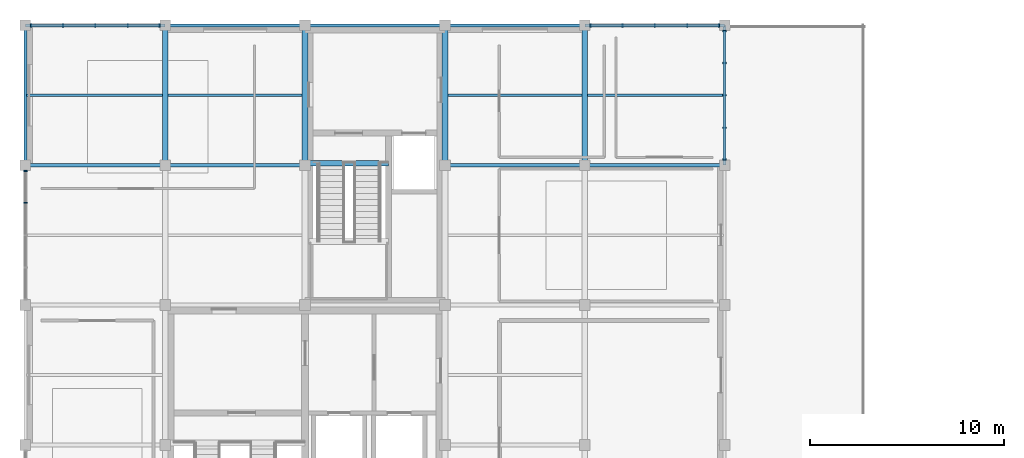
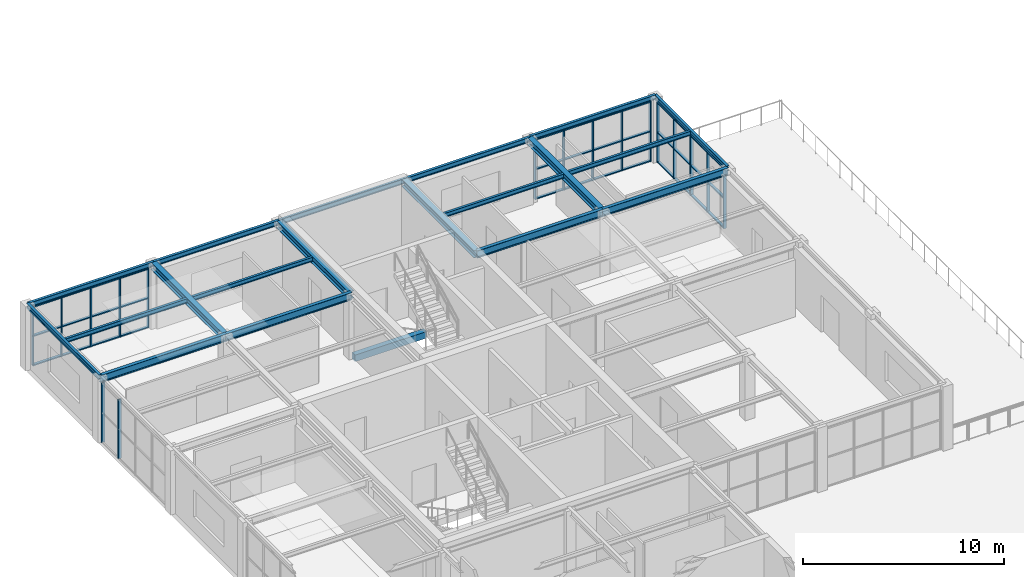
# One storey, part 10 of 30: 26 members, 20 beams, 4 elements without a shape of their own.
"""IFC4 building model written with IfcOpenShell, lengths in metres."""

from ifc_helpers import new_model, si_unit, direction, frame, origin, origin_2d, place, context, subcontext, project, spatial, rectangle, i_section, extrude, material, material_profile, profile_set, type_object, element, aggregate, save


model = new_model("IFC4")

# Units and contexts
model_context = context("Model", 3, precision=1e-05, world=origin(), true_north=direction((0.0, 1.0)))
body_context = subcontext(model_context, "Body", "Model", "MODEL_VIEW")
ifc_project = project(units=[si_unit("LENGTHUNIT", "METRE"), si_unit("AREAUNIT", "SQUARE_METRE"), si_unit("VOLUMEUNIT", "CUBIC_METRE"), si_unit("PLANEANGLEUNIT", "RADIAN"), si_unit("MASSUNIT", "GRAM", prefix="KILO")], contexts=[model_context])

# Site, building, storey
site_placement = place(None, origin())
site = spatial("IfcSite", under=ifc_project, at=site_placement, CompositionType="ELEMENT")
building_placement = place(site_placement, origin())
building = spatial("IfcBuilding", under=site, at=building_placement, Name="Leyfeld Transit Interchange", CompositionType="ELEMENT")
storey_placement = place(building_placement, frame((0.0, 0.0, 13.800048828125)))
storey = spatial("IfcBuildingStorey", under=building, at=storey_placement, Name="L03", CompositionType="ELEMENT", Elevation=13.800048828125)

# Beams
ifc_material_1 = material(Name="Concrete C35/45", Category="concrete")
ifc_material_profile_1 = material_profile(ifc_material_1, rectangle(XDim=0.300048828125, YDim=0.39990234375, at=origin_2d()), Name="RC 400x300")
ifc_profile_set_1 = profile_set([ifc_material_profile_1], Name="Concrete C35/45")
beam_type_1 = type_object("IfcBeamType", Name="BM-RC-400x300", PredefinedType="LINTEL", material=ifc_profile_set_1)
beam_1_placement = place(storey_placement, frame((14.60009765625, 115.300048828125, -0.199951171875), z_axis=(1.0, 0.0, 0.0), x_axis=(0.0, 1.0, 0.0)))
element("IfcBeam", 1, at=beam_1_placement, inside=storey, type_object=beam_type_1, Name="Core K2 Floor Landing Corbel L03", PredefinedType="LINTEL", context=body_context, shape_type="SweptSolid", body=[
    extrude(rectangle(XDim=0.300048828125, YDim=0.39990234375, at=origin_2d()), origin(), (0.0, 0.0, 1.0), 4.099853515625),
])
ifc_material_2 = material(Name="Steel S355J2", Category="steel")
ifc_material_profile_2 = material_profile(ifc_material_2, i_section(OverallWidth=0.300048828125, OverallDepth=0.449951171875, WebThickness=0.013916015625, FlangeThickness=0.02587890625, FilletRadius=0.027099609375, at=origin_2d()), Name="HEB 450")
ifc_profile_set_2 = profile_set([ifc_material_profile_2], Name="Steel S355J2")
beam_type_2 = type_object("IfcBeamType", Name="BM-STL-HEB450", PredefinedType="JOIST", material=ifc_profile_set_2)
for number, where, z_axis, x_axis, name in (
    (2, (7.199951171875, 115.199951171875, 3.675048828125), (0.0, 1.0, 0.0), (-1.0, 0.0, 0.0), "Beam BM-L03-0072_1152-0072_1224"),
    (3, (14.39990234375, 115.199951171875, 3.675048828125), (0.0, 1.0, 0.0), (-1.0, 0.0, 0.0), "Beam BM-L03-0144_1152-0144_1224"),
    (4, (21.60009765625, 115.199951171875, 3.675048828125), (0.0, 1.0, 0.0), (-1.0, 0.0, 0.0), "Beam BM-L03-0216_1152-0216_1224"),
    (5, (28.800048828125, 115.199951171875, 3.675048828125), (0.0, 1.0, 0.0), (-1.0, 0.0, 0.0), "Beam BM-L03-0288_1152-0288_1224"),
):
    element("IfcBeam", number, at=place(storey_placement, frame(where, z_axis=z_axis, x_axis=x_axis)), inside=storey, type_object=beam_type_2, Name=name, PredefinedType="JOIST", context=body_context, shape_type="SweptSolid", body=[
        extrude(i_section(OverallWidth=0.300048828125, OverallDepth=0.449951171875, WebThickness=0.013916015625, FlangeThickness=0.02587890625, FilletRadius=0.027099609375, at=origin_2d()), origin(), (0.0, 0.0, 1.0), 7.199951171875),
    ])
ifc_material_profile_3 = material_profile(ifc_material_2, i_section(OverallWidth=0.135009765625, OverallDepth=0.27001953125, WebThickness=0.006591796875, FlangeThickness=0.01025390625, FilletRadius=0.014892578125, at=origin_2d()), Name="IPE 270")
ifc_profile_set_3 = profile_set([ifc_material_profile_3], Name="Steel S355J2")
beam_type_3 = type_object("IfcBeamType", Name="BM-STL-IPE270", PredefinedType="BEAM", material=ifc_profile_set_3)
beam_2_placement = place(storey_placement, frame((0.072021484375, 118.800048828125, 3.764892578125), z_axis=(1.0, 0.0, 0.0), x_axis=(0.0, 1.0, 0.0)))
element("IfcBeam", 6, at=beam_2_placement, inside=storey, type_object=beam_type_3, Name="Beam BM-L03-0001_1188-0071_1188", PredefinedType="BEAM", context=body_context, shape_type="SweptSolid", body=[
    extrude(i_section(OverallWidth=0.135009765625, OverallDepth=0.27001953125, WebThickness=0.006591796875, FlangeThickness=0.01025390625, FilletRadius=0.014892578125, at=origin_2d()), origin(), (0.0, 0.0, 1.0), 6.98095703125),
])
for number, where, z_axis, x_axis, name in (
    (7, (7.346923828125, 118.800048828125, 3.764892578125), (1.0, 0.0, 0.0), (0.0, 1.0, 0.0), "Beam BM-L03-0073_1188-0143_1188"),
    (8, (21.7470703125, 118.800048828125, 3.764892578125), (1.0, 0.0, 0.0), (0.0, 1.0, 0.0), "Beam BM-L03-0217_1188-0287_1188"),
):
    element("IfcBeam", number, at=place(storey_placement, frame(where, z_axis=z_axis, x_axis=x_axis)), inside=storey, type_object=beam_type_3, Name=name, PredefinedType="BEAM", context=body_context, shape_type="SweptSolid", body=[
        extrude(i_section(OverallWidth=0.135009765625, OverallDepth=0.27001953125, WebThickness=0.006591796875, FlangeThickness=0.01025390625, FilletRadius=0.014892578125, at=origin_2d()), origin(), (0.0, 0.0, 1.0), 6.906005859375),
    ])
beam_3_placement = place(storey_placement, frame((28.947021484375, 118.800048828125, 3.81494140625), z_axis=(1.0, 0.0, 0.0), x_axis=(0.0, 1.0, 0.0)))
element("IfcBeam", 9, at=beam_3_placement, inside=storey, type_object=beam_type_3, Name="Beam BM-L03-0289_1188-0359_1188", PredefinedType="BEAM", context=body_context, shape_type="SweptSolid", body=[
    extrude(i_section(OverallWidth=0.135009765625, OverallDepth=0.27001953125, WebThickness=0.006591796875, FlangeThickness=0.01025390625, FilletRadius=0.014892578125, at=origin_2d()), origin(), (0.0, 0.0, 1.0), 6.98095703125),
])
ifc_material_profile_4 = material_profile(ifc_material_2, i_section(OverallWidth=0.14990234375, OverallDepth=0.300048828125, WebThickness=0.007080078125, FlangeThickness=0.0107421875, FilletRadius=0.014892578125, at=origin_2d()), Name="IPE 300")
ifc_profile_set_4 = profile_set([ifc_material_profile_4], Name="Steel S355J2")
beam_type_4 = type_object("IfcBeamType", Name="BM-STL-IPE300", PredefinedType="SPANDREL", material=ifc_profile_set_4)
for number, where, z_axis, x_axis, name in (
    (10, (0.0, 115.199951171875, 3.75), (0.0, 1.0, 0.0), (-1.0, 0.0, 0.0), "Beam BM-L03-0000_1152-0000_1224"),
    (11, (0.0, 122.39990234375, 3.75), (1.0, 0.0, 0.0), (0.0, 1.0, 0.0), "Beam BM-L03-0000_1224-0072_1224"),
    (12, (7.199951171875, 122.39990234375, 3.75), (1.0, 0.0, 0.0), (0.0, 1.0, 0.0), "Beam BM-L03-0072_1224-0144_1224"),
):
    element("IfcBeam", number, at=place(storey_placement, frame(where, z_axis=z_axis, x_axis=x_axis)), inside=storey, type_object=beam_type_4, Name=name, PredefinedType="SPANDREL", context=body_context, shape_type="SweptSolid", body=[
        extrude(i_section(OverallWidth=0.14990234375, OverallDepth=0.300048828125, WebThickness=0.007080078125, FlangeThickness=0.0107421875, FilletRadius=0.014892578125, at=origin_2d()), origin(), (0.0, 0.0, 1.0), 7.199951171875),
    ])
beam_4_placement = place(storey_placement, frame((14.39990234375, 122.39990234375, 3.75), z_axis=(1.0, 0.0, 0.0), x_axis=(0.0, 1.0, 0.0)))
element("IfcBeam", 13, at=beam_4_placement, inside=storey, type_object=beam_type_4, Name="Beam BM-L03-0144_1224-0216_1224", PredefinedType="SPANDREL", context=body_context, shape_type="SweptSolid", body=[
    extrude(i_section(OverallWidth=0.14990234375, OverallDepth=0.300048828125, WebThickness=0.007080078125, FlangeThickness=0.0107421875, FilletRadius=0.014892578125, at=origin_2d()), origin(), (0.0, 0.0, 1.0), 7.2001953125),
])
for number, where, z_axis, x_axis, name in (
    (14, (21.60009765625, 122.39990234375, 3.75), (1.0, 0.0, 0.0), (0.0, 1.0, 0.0), "Beam BM-L03-0216_1224-0288_1224"),
    (15, (36.0, 115.199951171875, 3.800048828125), (0.0, 1.0, 0.0), (-1.0, 0.0, 0.0), "Beam BM-L03-0360_1152-0360_1224"),
    (16, (28.800048828125, 122.39990234375, 3.800048828125), (1.0, 0.0, 0.0), (0.0, 1.0, 0.0), "Beam BM-L03-0288_1224-0360_1224"),
):
    element("IfcBeam", number, at=place(storey_placement, frame(where, z_axis=z_axis, x_axis=x_axis)), inside=storey, type_object=beam_type_4, Name=name, PredefinedType="SPANDREL", context=body_context, shape_type="SweptSolid", body=[
        extrude(i_section(OverallWidth=0.14990234375, OverallDepth=0.300048828125, WebThickness=0.007080078125, FlangeThickness=0.0107421875, FilletRadius=0.014892578125, at=origin_2d()), origin(), (0.0, 0.0, 1.0), 7.199951171875),
    ])
ifc_material_profile_5 = material_profile(ifc_material_2, i_section(OverallWidth=0.18994140625, OverallDepth=0.449951171875, WebThickness=0.009521484375, FlangeThickness=0.0146484375, FilletRadius=0.02099609375, at=origin_2d()), Name="IPE 450")
ifc_profile_set_5 = profile_set([ifc_material_profile_5], Name="Steel S355J2")
beam_type_5 = type_object("IfcBeamType", Name="BM-STL-IPE450", PredefinedType="BEAM", material=ifc_profile_set_5)
for number, where, z_axis, x_axis, name in (
    (17, (0.0, 115.199951171875, 3.675048828125), (1.0, 0.0, 0.0), (0.0, 1.0, 0.0), "Beam BM-L03-0000_1152-0072_1152"),
    (18, (7.199951171875, 115.199951171875, 3.675048828125), (1.0, 0.0, 0.0), (0.0, 1.0, 0.0), "Beam BM-L03-0072_1152-0144_1152"),
    (19, (21.60009765625, 115.199951171875, 3.675048828125), (1.0, 0.0, 0.0), (0.0, 1.0, 0.0), "Beam BM-L03-0216_1152-0288_1152"),
    (20, (28.800048828125, 115.199951171875, 3.675048828125), (1.0, 0.0, 0.0), (0.0, 1.0, 0.0), "Beam BM-L03-0288_1152-0360_1152"),
):
    element("IfcBeam", number, at=place(storey_placement, frame(where, z_axis=z_axis, x_axis=x_axis)), inside=storey, type_object=beam_type_5, Name=name, PredefinedType="BEAM", context=body_context, shape_type="SweptSolid", body=[
        extrude(i_section(OverallWidth=0.18994140625, OverallDepth=0.449951171875, WebThickness=0.009521484375, FlangeThickness=0.0146484375, FilletRadius=0.02099609375, at=origin_2d()), origin(), (0.0, 0.0, 1.0), 7.199951171875),
    ])

# Curtain wall, members
ifc_material_3 = material(Name="Anodised aluminium EN AW-6060 T66", Category="aluminium")
curtain_wall_type = type_object("IfcCurtainWallType", Name="CW-SYS-OPS-7200", PredefinedType="NOTDEFINED", material=ifc_material_3)
curtain_wall_1_placement = place(storey_placement, origin())
curtain_wall_1 = element("IfcCurtainWall", 21, at=curtain_wall_1_placement, inside=storey, type_object=curtain_wall_type, Name="Curtain Wall CW-L03-122", PredefinedType="NOTDEFINED")
ifc_material_profile_6 = material_profile(ifc_material_3, rectangle(XDim=0.06494140625, YDim=0.179931640625, at=origin_2d()), Name="CW-M 65x180")
ifc_profile_set_6 = profile_set([ifc_material_profile_6], Name="Anodised aluminium EN AW-6060 T66")
member_type_1 = type_object("IfcMemberType", Name="CW-MUL-150x65", PredefinedType="MULLION", material=ifc_profile_set_6)
member_1_placement = place(storey_placement, frame((0.0, 113.267578125, 0.0), z_axis=(0.0, 0.0, 1.0), x_axis=(0.0, 1.0, 0.0)))
member_1 = element("IfcMember", 22, at=member_1_placement, type_object=member_type_1, Name="Curtain Mullion CW-L03-122-M04", PredefinedType="MULLION", context=body_context, shape_type="SweptSolid", body=[
    extrude(rectangle(XDim=0.06494140625, YDim=0.179931640625, at=origin_2d()), origin(), (0.0, 0.0, 1.0), 3.599853515625),
])
member_2_placement = place(storey_placement, frame((0.0, 114.902587890625, 0.0), z_axis=(0.0, 0.0, 1.0), x_axis=(0.0, 1.0, 0.0)))
member_2 = element("IfcMember", 23, at=member_2_placement, type_object=member_type_1, Name="Curtain Mullion CW-L03-122-M05", PredefinedType="MULLION", context=body_context, shape_type="SweptSolid", body=[
    extrude(rectangle(XDim=0.06494140625, YDim=0.179931640625, at=origin_2d()), origin(), (0.0, 0.0, 1.0), 3.599853515625),
])
aggregate(curtain_wall_1, [member_1, member_2])

curtain_wall_2_placement = place(storey_placement, origin())
curtain_wall_2 = element("IfcCurtainWall", 24, at=curtain_wall_2_placement, inside=storey, type_object=curtain_wall_type, Name="Curtain Wall CW-L03-123", PredefinedType="NOTDEFINED")
member_3_placement = place(storey_placement, frame((0.297607421875, 122.39990234375, 0.0), z_axis=(0.0, 0.0, 1.0), x_axis=(1.0, 0.0, 0.0)))
member_3 = element("IfcMember", 25, at=member_3_placement, type_object=member_type_1, Name="Curtain Mullion CW-L03-123-M01", PredefinedType="MULLION", context=body_context, shape_type="SweptSolid", body=[
    extrude(rectangle(XDim=0.06494140625, YDim=0.179931640625, at=origin_2d()), origin(), (0.0, 0.0, 1.0), 3.599853515625),
])
member_4_placement = place(storey_placement, frame((1.9326171875, 122.39990234375, 0.0), z_axis=(0.0, 0.0, 1.0), x_axis=(1.0, 0.0, 0.0)))
member_4 = element("IfcMember", 26, at=member_4_placement, type_object=member_type_1, Name="Curtain Mullion CW-L03-123-M02", PredefinedType="MULLION", context=body_context, shape_type="SweptSolid", body=[
    extrude(rectangle(XDim=0.06494140625, YDim=0.179931640625, at=origin_2d()), origin(), (0.0, 0.0, 1.0), 3.599853515625),
])
member_5_placement = place(storey_placement, frame((3.60009765625, 122.39990234375, 0.0), z_axis=(0.0, 0.0, 1.0), x_axis=(1.0, 0.0, 0.0)))
member_5 = element("IfcMember", 27, at=member_5_placement, type_object=member_type_1, Name="Curtain Mullion CW-L03-123-M03", PredefinedType="MULLION", context=body_context, shape_type="SweptSolid", body=[
    extrude(rectangle(XDim=0.06494140625, YDim=0.179931640625, at=origin_2d()), origin(), (0.0, 0.0, 1.0), 3.599853515625),
])
member_6_placement = place(storey_placement, frame((5.267578125, 122.39990234375, 0.0), z_axis=(0.0, 0.0, 1.0), x_axis=(1.0, 0.0, 0.0)))
member_6 = element("IfcMember", 28, at=member_6_placement, type_object=member_type_1, Name="Curtain Mullion CW-L03-123-M04", PredefinedType="MULLION", context=body_context, shape_type="SweptSolid", body=[
    extrude(rectangle(XDim=0.06494140625, YDim=0.179931640625, at=origin_2d()), origin(), (0.0, 0.0, 1.0), 3.599853515625),
])
member_7_placement = place(storey_placement, frame((6.902587890625, 122.39990234375, 0.0), z_axis=(0.0, 0.0, 1.0), x_axis=(1.0, 0.0, 0.0)))
member_7 = element("IfcMember", 29, at=member_7_placement, type_object=member_type_1, Name="Curtain Mullion CW-L03-123-M05", PredefinedType="MULLION", context=body_context, shape_type="SweptSolid", body=[
    extrude(rectangle(XDim=0.06494140625, YDim=0.179931640625, at=origin_2d()), origin(), (0.0, 0.0, 1.0), 3.599853515625),
])

curtain_wall_3_placement = place(storey_placement, origin())
curtain_wall_3 = element("IfcCurtainWall", 30, at=curtain_wall_3_placement, inside=storey, type_object=curtain_wall_type, Name="Curtain Wall CW-L03-124", PredefinedType="NOTDEFINED")
member_8_placement = place(storey_placement, frame((29.097412109375, 122.39990234375, 0.0), z_axis=(0.0, 0.0, 1.0), x_axis=(1.0, 0.0, 0.0)))
member_8 = element("IfcMember", 31, at=member_8_placement, type_object=member_type_1, Name="Curtain Mullion CW-L03-124-M01", PredefinedType="MULLION", context=body_context, shape_type="SweptSolid", body=[
    extrude(rectangle(XDim=0.06494140625, YDim=0.179931640625, at=origin_2d()), origin(), (0.0, 0.0, 1.0), 3.64990234375),
])
member_9_placement = place(storey_placement, frame((30.732421875, 122.39990234375, 0.0), z_axis=(0.0, 0.0, 1.0), x_axis=(1.0, 0.0, 0.0)))
member_9 = element("IfcMember", 32, at=member_9_placement, type_object=member_type_1, Name="Curtain Mullion CW-L03-124-M02", PredefinedType="MULLION", context=body_context, shape_type="SweptSolid", body=[
    extrude(rectangle(XDim=0.06494140625, YDim=0.179931640625, at=origin_2d()), origin(), (0.0, 0.0, 1.0), 3.64990234375),
])
member_10_placement = place(storey_placement, frame((32.39990234375, 122.39990234375, 0.0), z_axis=(0.0, 0.0, 1.0), x_axis=(1.0, 0.0, 0.0)))
member_10 = element("IfcMember", 33, at=member_10_placement, type_object=member_type_1, Name="Curtain Mullion CW-L03-124-M03", PredefinedType="MULLION", context=body_context, shape_type="SweptSolid", body=[
    extrude(rectangle(XDim=0.06494140625, YDim=0.179931640625, at=origin_2d()), origin(), (0.0, 0.0, 1.0), 3.64990234375),
])
member_11_placement = place(storey_placement, frame((34.0673828125, 122.39990234375, 0.0), z_axis=(0.0, 0.0, 1.0), x_axis=(1.0, 0.0, 0.0)))
member_11 = element("IfcMember", 34, at=member_11_placement, type_object=member_type_1, Name="Curtain Mullion CW-L03-124-M04", PredefinedType="MULLION", context=body_context, shape_type="SweptSolid", body=[
    extrude(rectangle(XDim=0.06494140625, YDim=0.179931640625, at=origin_2d()), origin(), (0.0, 0.0, 1.0), 3.64990234375),
])
member_12_placement = place(storey_placement, frame((35.702392578125, 122.39990234375, 0.0), z_axis=(0.0, 0.0, 1.0), x_axis=(1.0, 0.0, 0.0)))
member_12 = element("IfcMember", 35, at=member_12_placement, type_object=member_type_1, Name="Curtain Mullion CW-L03-124-M05", PredefinedType="MULLION", context=body_context, shape_type="SweptSolid", body=[
    extrude(rectangle(XDim=0.06494140625, YDim=0.179931640625, at=origin_2d()), origin(), (0.0, 0.0, 1.0), 3.64990234375),
])

curtain_wall_4_placement = place(storey_placement, origin())
curtain_wall_4 = element("IfcCurtainWall", 36, at=curtain_wall_4_placement, inside=storey, type_object=curtain_wall_type, Name="Curtain Wall CW-L03-125", PredefinedType="NOTDEFINED")
member_13_placement = place(storey_placement, frame((36.0, 122.1025390625, 0.0), z_axis=(0.0, 0.0, 1.0), x_axis=(0.0, -1.0, 0.0)))
member_13 = element("IfcMember", 37, at=member_13_placement, type_object=member_type_1, Name="Curtain Mullion CW-L03-125-M01", PredefinedType="MULLION", context=body_context, shape_type="SweptSolid", body=[
    extrude(rectangle(XDim=0.06494140625, YDim=0.179931640625, at=origin_2d()), origin(), (0.0, 0.0, 1.0), 3.64990234375),
])
member_14_placement = place(storey_placement, frame((36.0, 120.467529296875, 0.0), z_axis=(0.0, 0.0, 1.0), x_axis=(0.0, -1.0, 0.0)))
member_14 = element("IfcMember", 38, at=member_14_placement, type_object=member_type_1, Name="Curtain Mullion CW-L03-125-M02", PredefinedType="MULLION", context=body_context, shape_type="SweptSolid", body=[
    extrude(rectangle(XDim=0.06494140625, YDim=0.179931640625, at=origin_2d()), origin(), (0.0, 0.0, 1.0), 3.64990234375),
])
member_15_placement = place(storey_placement, frame((36.0, 118.800048828125, 0.0), z_axis=(0.0, 0.0, 1.0), x_axis=(0.0, -1.0, 0.0)))
member_15 = element("IfcMember", 39, at=member_15_placement, type_object=member_type_1, Name="Curtain Mullion CW-L03-125-M03", PredefinedType="MULLION", context=body_context, shape_type="SweptSolid", body=[
    extrude(rectangle(XDim=0.06494140625, YDim=0.179931640625, at=origin_2d()), origin(), (0.0, 0.0, 1.0), 3.64990234375),
])
member_16_placement = place(storey_placement, frame((36.0, 117.132568359375, 0.0), z_axis=(0.0, 0.0, 1.0), x_axis=(0.0, -1.0, 0.0)))
member_16 = element("IfcMember", 40, at=member_16_placement, type_object=member_type_1, Name="Curtain Mullion CW-L03-125-M04", PredefinedType="MULLION", context=body_context, shape_type="SweptSolid", body=[
    extrude(rectangle(XDim=0.06494140625, YDim=0.179931640625, at=origin_2d()), origin(), (0.0, 0.0, 1.0), 3.64990234375),
])
member_17_placement = place(storey_placement, frame((36.0, 115.49755859375, 0.0), z_axis=(0.0, 0.0, 1.0), x_axis=(0.0, -1.0, 0.0)))
member_17 = element("IfcMember", 41, at=member_17_placement, type_object=member_type_1, Name="Curtain Mullion CW-L03-125-M05", PredefinedType="MULLION", context=body_context, shape_type="SweptSolid", body=[
    extrude(rectangle(XDim=0.06494140625, YDim=0.179931640625, at=origin_2d()), origin(), (0.0, 0.0, 1.0), 3.64990234375),
])

# Member
ifc_material_profile_7 = material_profile(ifc_material_3, rectangle(XDim=0.14990234375, YDim=0.06494140625, at=origin_2d()), Name="CW-TRN-135x65")
ifc_profile_set_7 = profile_set([ifc_material_profile_7], Name="Anodised aluminium EN AW-6060 T66")
member_type_2 = type_object("IfcMemberType", Name="CW-TRN-135x65", PredefinedType="USERDEFINED", material=ifc_profile_set_7)
member_18_placement = place(storey_placement, frame((0.264892578125, 122.39990234375, 0.032470703125), z_axis=(1.0, 0.0, 0.0), x_axis=(0.0, 1.0, 0.0)))
member_18 = element("IfcMember", 42, at=member_18_placement, type_object=member_type_2, Name="Curtain Transom CW-L03-123-T01", ObjectType="TRANSOM", PredefinedType="USERDEFINED", context=body_context, shape_type="SweptSolid", body=[
    extrude(rectangle(XDim=0.14990234375, YDim=0.06494140625, at=origin_2d()), origin(), (0.0, 0.0, 1.0), 6.670166015625),
])

member_19_placement = place(storey_placement, frame((0.264892578125, 122.39990234375, 1.800048828125), z_axis=(1.0, 0.0, 0.0), x_axis=(0.0, 1.0, 0.0)))
member_19 = element("IfcMember", 43, at=member_19_placement, type_object=member_type_2, Name="Curtain Transom CW-L03-123-T02", ObjectType="TRANSOM", PredefinedType="USERDEFINED", context=body_context, shape_type="SweptSolid", body=[
    extrude(rectangle(XDim=0.14990234375, YDim=0.06494140625, at=origin_2d()), origin(), (0.0, 0.0, 1.0), 6.670166015625),
])

member_20_placement = place(storey_placement, frame((0.264892578125, 122.39990234375, 3.5673828125), z_axis=(1.0, 0.0, 0.0), x_axis=(0.0, 1.0, 0.0)))
member_20 = element("IfcMember", 44, at=member_20_placement, type_object=member_type_2, Name="Curtain Transom CW-L03-123-T03", ObjectType="TRANSOM", PredefinedType="USERDEFINED", context=body_context, shape_type="SweptSolid", body=[
    extrude(rectangle(XDim=0.14990234375, YDim=0.06494140625, at=origin_2d()), origin(), (0.0, 0.0, 1.0), 6.670166015625),
])

aggregate(curtain_wall_2, [member_3, member_4, member_5, member_6, member_7, member_18, member_19, member_20])

member_21_placement = place(storey_placement, frame((29.06494140625, 122.39990234375, 0.032470703125), z_axis=(1.0, 0.0, 0.0), x_axis=(0.0, 1.0, 0.0)))
member_21 = element("IfcMember", 45, at=member_21_placement, type_object=member_type_2, Name="Curtain Transom CW-L03-124-T01", ObjectType="TRANSOM", PredefinedType="USERDEFINED", context=body_context, shape_type="SweptSolid", body=[
    extrude(rectangle(XDim=0.14990234375, YDim=0.06494140625, at=origin_2d()), origin(), (0.0, 0.0, 1.0), 6.670166015625),
])

member_22_placement = place(storey_placement, frame((29.06494140625, 122.39990234375, 1.824951171875), z_axis=(1.0, 0.0, 0.0), x_axis=(0.0, 1.0, 0.0)))
member_22 = element("IfcMember", 46, at=member_22_placement, type_object=member_type_2, Name="Curtain Transom CW-L03-124-T02", ObjectType="TRANSOM", PredefinedType="USERDEFINED", context=body_context, shape_type="SweptSolid", body=[
    extrude(rectangle(XDim=0.14990234375, YDim=0.06494140625, at=origin_2d()), origin(), (0.0, 0.0, 1.0), 6.670166015625),
])

member_23_placement = place(storey_placement, frame((29.06494140625, 122.39990234375, 3.617431640625), z_axis=(1.0, 0.0, 0.0), x_axis=(0.0, 1.0, 0.0)))
member_23 = element("IfcMember", 47, at=member_23_placement, type_object=member_type_2, Name="Curtain Transom CW-L03-124-T03", ObjectType="TRANSOM", PredefinedType="USERDEFINED", context=body_context, shape_type="SweptSolid", body=[
    extrude(rectangle(XDim=0.14990234375, YDim=0.06494140625, at=origin_2d()), origin(), (0.0, 0.0, 1.0), 6.670166015625),
])

aggregate(curtain_wall_3, [member_8, member_9, member_10, member_11, member_12, member_21, member_22, member_23])

member_24_placement = place(storey_placement, frame((36.0, 122.135009765625, 0.032470703125), z_axis=(0.0, -1.0, 0.0), x_axis=(1.0, 0.0, 0.0)))
member_24 = element("IfcMember", 48, at=member_24_placement, type_object=member_type_2, Name="Curtain Transom CW-L03-125-T01", ObjectType="TRANSOM", PredefinedType="USERDEFINED", context=body_context, shape_type="SweptSolid", body=[
    extrude(rectangle(XDim=0.14990234375, YDim=0.06494140625, at=origin_2d()), origin(), (0.0, 0.0, 1.0), 6.669921875),
])

member_25_placement = place(storey_placement, frame((36.0, 122.135009765625, 1.824951171875), z_axis=(0.0, -1.0, 0.0), x_axis=(1.0, 0.0, 0.0)))
member_25 = element("IfcMember", 49, at=member_25_placement, type_object=member_type_2, Name="Curtain Transom CW-L03-125-T02", ObjectType="TRANSOM", PredefinedType="USERDEFINED", context=body_context, shape_type="SweptSolid", body=[
    extrude(rectangle(XDim=0.14990234375, YDim=0.06494140625, at=origin_2d()), origin(), (0.0, 0.0, 1.0), 6.669921875),
])

member_26_placement = place(storey_placement, frame((36.0, 122.135009765625, 3.617431640625), z_axis=(0.0, -1.0, 0.0), x_axis=(1.0, 0.0, 0.0)))
member_26 = element("IfcMember", 50, at=member_26_placement, type_object=member_type_2, Name="Curtain Transom CW-L03-125-T03", ObjectType="TRANSOM", PredefinedType="USERDEFINED", context=body_context, shape_type="SweptSolid", body=[
    extrude(rectangle(XDim=0.14990234375, YDim=0.06494140625, at=origin_2d()), origin(), (0.0, 0.0, 1.0), 6.669921875),
])

aggregate(curtain_wall_4, [member_13, member_14, member_15, member_16, member_17, member_24, member_25, member_26])

save(model, "model.ifc")
